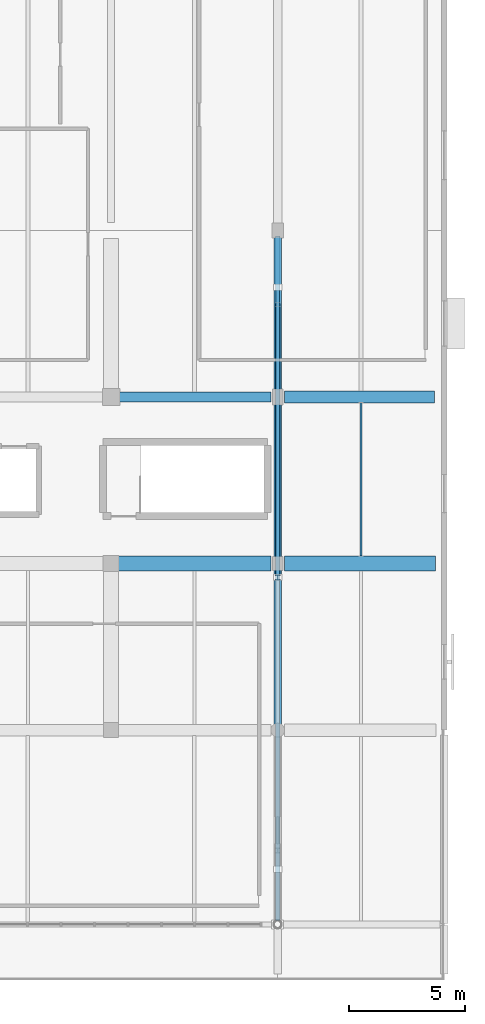
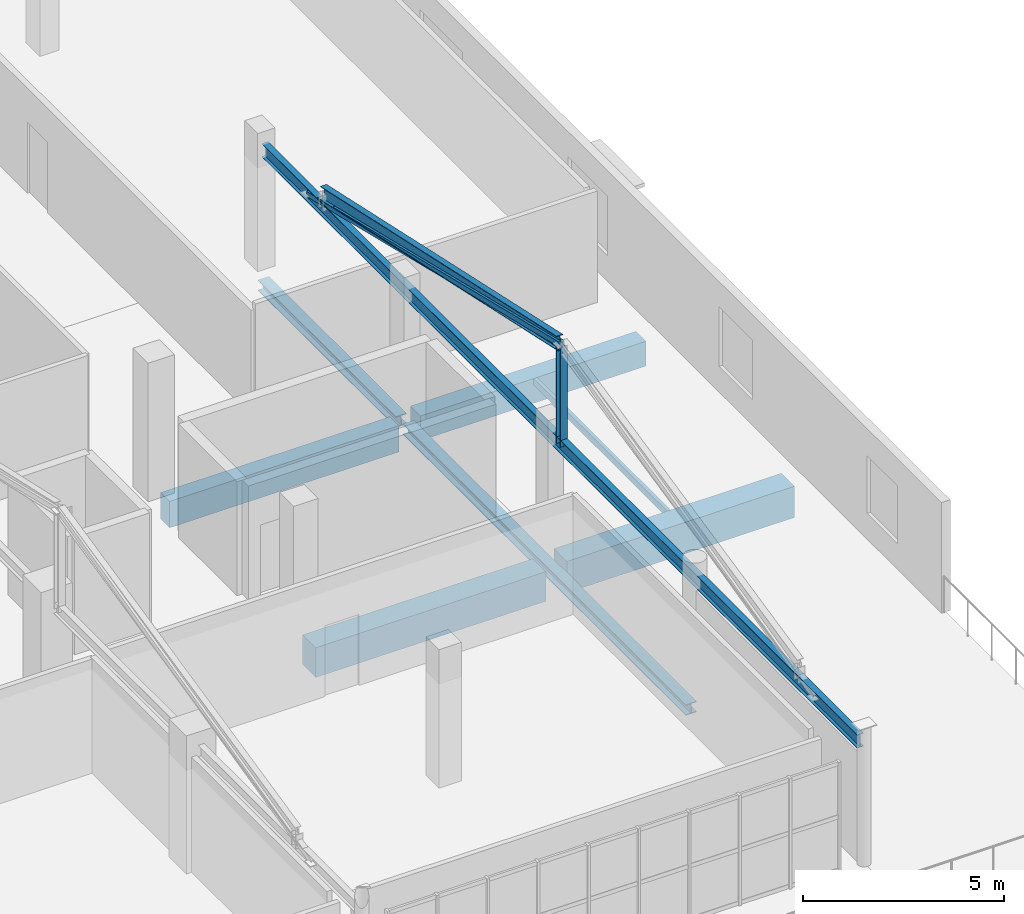
# One storey, part 14 of 41: 9 beams, 2 members.
"""IFC4 building model written with IfcOpenShell, lengths in metres."""

from ifc_helpers import new_model, si_unit, direction, frame, origin, origin_2d, place, context, subcontext, project, spatial, rectangle, hollow_rectangle, i_section, extrude, material, material_profile, profile_set, type_object, element, save


model = new_model("IFC4")

# Units and contexts
model_context = context("Model", 3, precision=1e-05, world=origin(), true_north=direction((0.0, 1.0)))
body_context = subcontext(model_context, "Body", "Model", "MODEL_VIEW")
ifc_project = project(units=[si_unit("LENGTHUNIT", "METRE"), si_unit("AREAUNIT", "SQUARE_METRE"), si_unit("VOLUMEUNIT", "CUBIC_METRE"), si_unit("PLANEANGLEUNIT", "RADIAN"), si_unit("MASSUNIT", "GRAM", prefix="KILO")], contexts=[model_context])

# Site, building, storey
site_placement = place(None, origin())
site = spatial("IfcSite", under=ifc_project, at=site_placement, CompositionType="ELEMENT")
building_placement = place(site_placement, origin())
building = spatial("IfcBuilding", under=site, at=building_placement, Name="Solanera Park Tramway Depot", CompositionType="ELEMENT")
storey_placement = place(building_placement, frame((0.0, 0.0, 13.199951171875)))
storey = spatial("IfcBuildingStorey", under=building, at=storey_placement, Name="L03", CompositionType="ELEMENT", Elevation=13.199951171875)

# Beams
ifc_material_1 = material(Name="Concrete N40 (C40/50)", Category="concrete")
ifc_material_profile_1 = material_profile(ifc_material_1, rectangle(XDim=0.449951171875, YDim=0.800048828125, at=origin_2d()), Name="RCB 450x800")
ifc_profile_set_1 = profile_set([ifc_material_profile_1], Name="Concrete N40 (C40/50)")
beam_type_1 = type_object("IfcBeamType", Name="RC Floor Beam RCB 450x800", PredefinedType="BEAM", material=ifc_profile_set_1)
beam_1_placement = place(storey_placement, frame((173.125, 25.199951171875, -0.72900390625), z_axis=(1.0, 0.0, 0.0), x_axis=(0.0, 1.0, 0.0)))
element("IfcBeam", 1, at=beam_1_placement, inside=storey, type_object=beam_type_1, Name="L03 Primary X-Girder RCB 450x800 #0233", PredefinedType="BEAM", context=body_context, shape_type="SweptSolid", body=[
    extrude(rectangle(XDim=0.449951171875, YDim=0.800048828125, at=origin_2d()), origin(), (0.0, 0.0, 1.0), 6.574951171875),
])
ifc_material_2 = material(Name="Concrete N40 (C40/50)", Category="concrete")
ifc_material_profile_2 = material_profile(ifc_material_2, rectangle(XDim=0.5, YDim=0.75, at=origin_2d()), Name="RCB 500x750")
ifc_profile_set_2 = profile_set([ifc_material_profile_2], Name="Concrete N40 (C40/50)")
beam_type_2 = type_object("IfcBeamType", Name="RC Floor Beam RCB 500x750", PredefinedType="BEAM", material=ifc_profile_set_2)
beam_2_placement = place(storey_placement, frame((180.300048828125, 25.199951171875, -0.60888671875), z_axis=(1.0, 0.0, 0.0), x_axis=(0.0, 1.0, 0.0)))
element("IfcBeam", 2, at=beam_2_placement, inside=storey, type_object=beam_type_2, Name="L03 Primary X-Girder RCB 500x750 #0234", PredefinedType="BEAM", context=body_context, shape_type="SweptSolid", body=[
    extrude(rectangle(XDim=0.5, YDim=0.75, at=origin_2d()), origin(), (0.0, 0.0, 1.0), 6.474853515625),
])
ifc_material_3 = material(Name="Concrete N40 (C40/50)", Category="concrete")
ifc_material_profile_3 = material_profile(ifc_material_3, rectangle(XDim=0.64990234375, YDim=0.89990234375, at=origin_2d()), Name="RCB 650x900")
ifc_profile_set_3 = profile_set([ifc_material_profile_3], Name="Concrete N40 (C40/50)")
beam_type_3 = type_object("IfcBeamType", Name="RC Floor Beam RCB 650x900", PredefinedType="BEAM", material=ifc_profile_set_3)
beam_3_placement = place(storey_placement, frame((173.10009765625, 18.0, -0.779052734375), z_axis=(1.0, 0.0, 0.0), x_axis=(0.0, 1.0, 0.0)))
element("IfcBeam", 3, at=beam_3_placement, inside=storey, type_object=beam_type_3, Name="L03 Primary X-Girder RCB 650x900 #0222", PredefinedType="BEAM", context=body_context, shape_type="SweptSolid", body=[
    extrude(rectangle(XDim=0.64990234375, YDim=0.89990234375, at=origin_2d()), origin(), (0.0, 0.0, 1.0), 6.599853515625),
])
ifc_material_4 = material(Name="Concrete N40 (C40/50)", Category="concrete")
ifc_material_profile_4 = material_profile(ifc_material_4, rectangle(XDim=0.64990234375, YDim=0.949951171875, at=origin_2d()), Name="RCB 650x950")
ifc_profile_set_4 = profile_set([ifc_material_profile_4], Name="Concrete N40 (C40/50)")
beam_type_4 = type_object("IfcBeamType", Name="RC Floor Beam RCB 650x950", PredefinedType="BEAM", material=ifc_profile_set_4)
beam_4_placement = place(storey_placement, frame((180.300048828125, 18.0, -0.708984375), z_axis=(1.0, 0.0, 0.0), x_axis=(0.0, 1.0, 0.0)))
element("IfcBeam", 4, at=beam_4_placement, inside=storey, type_object=beam_type_4, Name="L03 Primary X-Girder RCB 650x950 #0223", PredefinedType="BEAM", context=body_context, shape_type="SweptSolid", body=[
    extrude(rectangle(XDim=0.64990234375, YDim=0.949951171875, at=origin_2d()), origin(), (0.0, 0.0, 1.0), 6.52490234375),
])

# Member
ifc_material_5 = material(Name="Steel AS/NZS 3679.1 Grade 350", Category="steel")
ifc_material_profile_5 = material_profile(ifc_material_5, i_section(OverallWidth=0.205078125, OverallDepth=0.209716796875, WebThickness=0.00927734375, FlangeThickness=0.01416015625, at=origin_2d()), Name="200UC59.5")
ifc_profile_set_5 = profile_set([ifc_material_profile_5], Name="Steel AS/NZS 3679.1 Grade 350")
member_type_1 = type_object("IfcMemberType", Name="Roof Gantry Compression Strut 200UC59.5", PredefinedType="STRUT", material=ifc_profile_set_5)
member_1_placement = place(storey_placement, frame((180.0, 17.39990234375, 3.596923828125), z_axis=(0.0, 0.0, 1.0), x_axis=(1.0, 0.0, 0.0)))
element("IfcMember", 5, at=member_1_placement, inside=storey, type_object=member_type_1, Name="Hip ROOF TRUSS King Post #0136", PredefinedType="STRUT", context=body_context, shape_type="SweptSolid", body=[
    extrude(i_section(OverallWidth=0.205078125, OverallDepth=0.209716796875, WebThickness=0.00927734375, FlangeThickness=0.01416015625, at=origin_2d()), origin(), (0.0, 0.0, 1.0), 3.037109375),
])

# Beams
ifc_material_6 = material(Name="Steel AS/NZS 3679.1 Grade 350", Category="steel")
ifc_material_profile_6 = material_profile(ifc_material_6, i_section(OverallWidth=0.310546875, OverallDepth=0.3271484375, WebThickness=0.015625, FlangeThickness=0.02490234375, at=origin_2d()), Name="310UC158")
ifc_profile_set_6 = profile_set([ifc_material_profile_6], Name="Steel AS/NZS 3679.1 Grade 350")
beam_type_5 = type_object("IfcBeamType", Name="Steel Beam 310UC158", PredefinedType="BEAM", material=ifc_profile_set_6)
beam_5_placement = place(storey_placement, frame((180.0, 10.97998046875, -0.52001953125), z_axis=(0.0, 1.0, 0.0), x_axis=(-1.0, 0.0, 0.0)))
element("IfcBeam", 6, at=beam_5_placement, inside=storey, type_object=beam_type_5, Name="L03 Transfer Truss Backspan Chord 310UC158 #0344", PredefinedType="BEAM", context=body_context, shape_type="SweptSolid", body=[
    extrude(i_section(OverallWidth=0.310546875, OverallDepth=0.3271484375, WebThickness=0.015625, FlangeThickness=0.02490234375, at=origin_2d()), origin(), (0.0, 0.0, 1.0), 14.0400390625),
])
beam_6_placement = place(storey_placement, frame((180.0, 25.3798828125, -0.52001953125), z_axis=(0.0, 1.0, 0.0), x_axis=(-1.0, 0.0, 0.0)))
element("IfcBeam", 7, at=beam_6_placement, inside=storey, type_object=beam_type_5, Name="L03 Transfer Truss Backspan Chord 310UC158 #0345", PredefinedType="BEAM", context=body_context, shape_type="SweptSolid", body=[
    extrude(i_section(OverallWidth=0.310546875, OverallDepth=0.3271484375, WebThickness=0.015625, FlangeThickness=0.02490234375, at=origin_2d()), origin(), (0.0, 0.0, 1.0), 6.840087890625),
])
ifc_material_7 = material(Name="Steel AS/NZS 3679.1 Grade 350", Category="steel")
ifc_material_profile_7 = material_profile(ifc_material_7, i_section(OverallWidth=0.177734375, OverallDepth=0.406494140625, WebThickness=0.0078125, FlangeThickness=0.0126953125, at=origin_2d()), Name="410UB59.7")
ifc_profile_set_7 = profile_set([ifc_material_profile_7], Name="Steel AS/NZS 3679.1 Grade 350")
beam_type_6 = type_object("IfcBeamType", Name="Steel Beam 410UB59.7", PredefinedType="BEAM", material=ifc_profile_set_7)
beam_7_placement = place(storey_placement, frame((180.0, 2.580078125, 3.596923828125), z_axis=(0.0, 1.0, 0.0), x_axis=(-1.0, 0.0, 0.0)))
element("IfcBeam", 8, at=beam_7_placement, inside=storey, type_object=beam_type_6, Name="L03 Hip ROOF TRUSS Tie 410UB59.7 #1074", PredefinedType="BEAM", context=body_context, shape_type="SweptSolid", body=[
    extrude(i_section(OverallWidth=0.177734375, OverallDepth=0.406494140625, WebThickness=0.0078125, FlangeThickness=0.0126953125, at=origin_2d()), origin(), (0.0, 0.0, 1.0), 29.56982421875),
])
beam_8_placement = place(storey_placement, frame((180.0, 17.4599609375, 6.634033203125), z_axis=(0.0, 0.976853477736, -0.213909520672), x_axis=(-1.0, 0.0, 0.0)))
element("IfcBeam", 9, at=beam_8_placement, inside=storey, type_object=beam_type_6, Name="L03 Hip ROOF TRUSS Rafter 410UB59.7 #1076", PredefinedType="BEAM", context=body_context, shape_type="SweptSolid", body=[
    extrude(i_section(OverallWidth=0.177734375, OverallDepth=0.406494140625, WebThickness=0.0078125, FlangeThickness=0.0126953125, at=origin_2d()), origin(), (0.0, 0.0, 1.0), 12.01806640625),
])
ifc_material_8 = material(Name="Steel AS/NZS 1163 Grade C350L0", Category="steel")
ifc_material_profile_8 = material_profile(ifc_material_8, hollow_rectangle(XDim=0.10009765625, YDim=0.199951171875, WallThickness=0.006103515625, at=origin_2d()), Name="200x100x6.0 RHS")
ifc_profile_set_8 = profile_set([ifc_material_profile_8], Name="Steel AS/NZS 1163 Grade C350L0")
beam_type_7 = type_object("IfcBeamType", Name="Steel Joist Purlin 200x100x6.0 RHS", PredefinedType="JOIST", material=ifc_profile_set_8)
beam_9_placement = place(storey_placement, frame((183.60009765625, 18.31689453125, -0.333984375), z_axis=(0.0, 1.0, 0.0), x_axis=(-1.0, 0.0, 0.0)))
element("IfcBeam", 10, at=beam_9_placement, inside=storey, type_object=beam_type_7, Name="L03 Secondary Floor Joist 200x100x6.0 RHS #0276", PredefinedType="JOIST", context=body_context, shape_type="SweptSolid", body=[
    extrude(hollow_rectangle(XDim=0.10009765625, YDim=0.199951171875, WallThickness=0.006103515625, at=origin_2d()), origin(), (0.0, 0.0, 1.0), 6.64111328125),
])

# Member
ifc_material_9 = material(Name="Steel AS/NZS 1163 Grade C350L0", Category="steel")
ifc_material_profile_9 = material_profile(ifc_material_9, hollow_rectangle(XDim=0.14990234375, YDim=0.14990234375, WallThickness=0.006103515625, at=origin_2d()), Name="150x150x6.0 SHS")
ifc_profile_set_9 = profile_set([ifc_material_profile_9], Name="Steel AS/NZS 1163 Grade C350L0")
member_type_2 = type_object("IfcMemberType", Name="Truss and Frame Brace 150x150x6.0 SHS", PredefinedType="BRACE", material=ifc_profile_set_9)
member_2_placement = place(storey_placement, frame((180.0, 29.949951171875, 3.596923828125), z_axis=(0.0, -0.971944483523, 0.235210375937), x_axis=(1.0, 0.0, 0.0)))
element("IfcMember", 11, at=member_2_placement, inside=storey, type_object=member_type_2, Name="Hip ROOF TRUSS Web #0458", PredefinedType="BRACE", context=body_context, shape_type="SweptSolid", body=[
    extrude(hollow_rectangle(XDim=0.14990234375, YDim=0.14990234375, WallThickness=0.006103515625, at=origin_2d()), origin(), (0.0, 0.0, 1.0), 12.912353515625),
])

save(model, "model.ifc")
